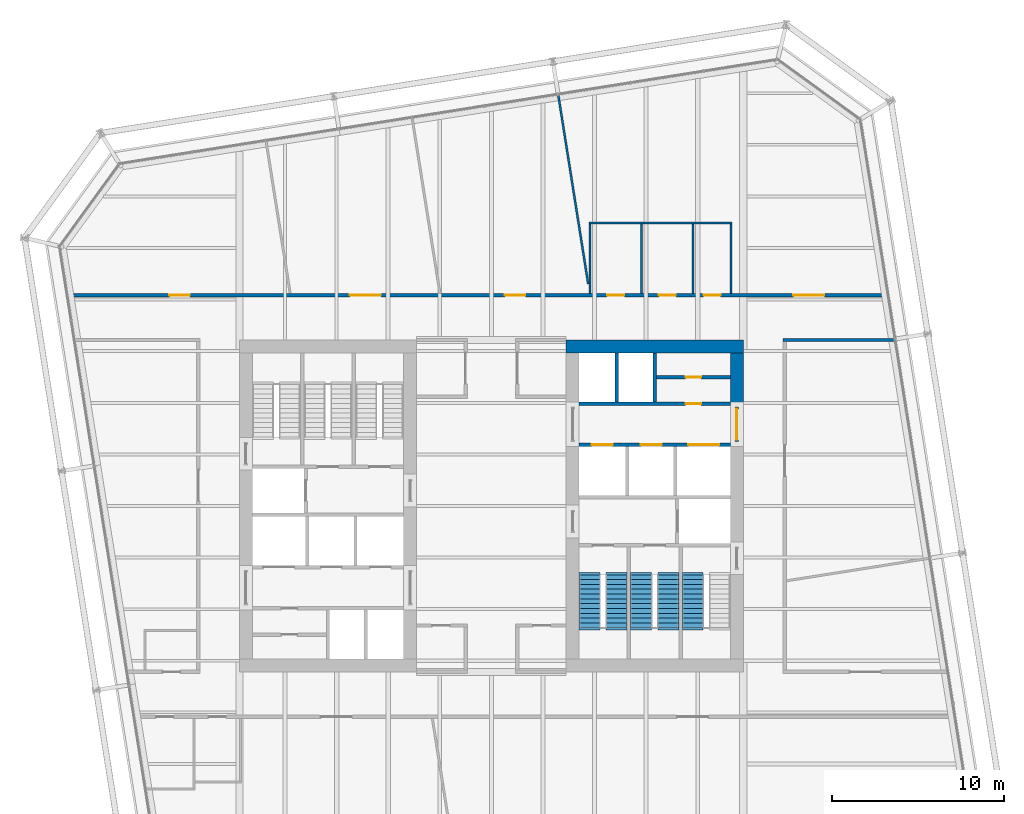
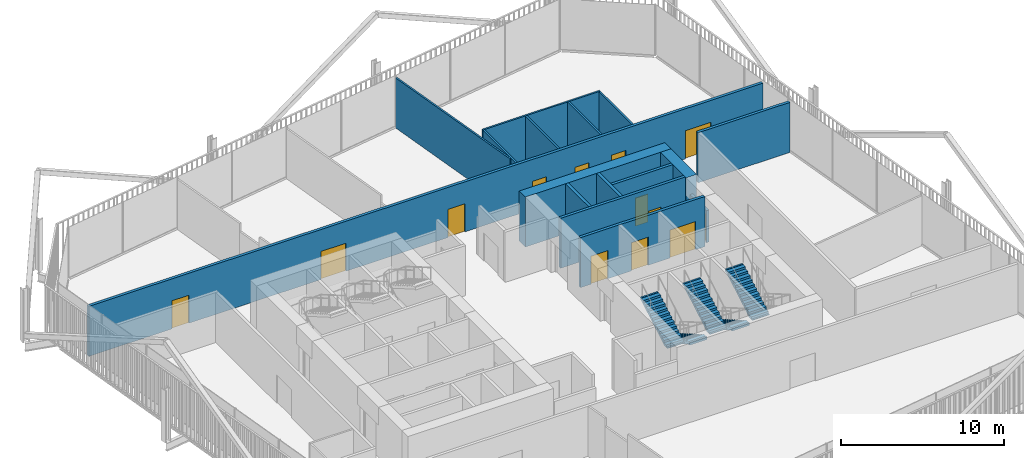
# One storey, part 20 of 22: 16 walls, 13 doors, 5 stair flights, 13 openings, 3 elements without a shape of their own.
"""IFC4 building model written with IfcOpenShell, lengths in metres."""

from ifc_helpers import new_model, si_unit, direction, frame, frame_2d, origin, place, context, subcontext, project, spatial, polyline, rectangle, outline, extrude, material, layer, layer_set, type_object, element, fill, aggregate, save


model = new_model("IFC4")

# Units and contexts
model_context = context("Model", 3, precision=1e-05, world=origin(), true_north=direction((0.0, 1.0)))
body_context = subcontext(model_context, "Body", "Model", "MODEL_VIEW")
ifc_project = project(units=[si_unit("LENGTHUNIT", "METRE"), si_unit("AREAUNIT", "SQUARE_METRE"), si_unit("VOLUMEUNIT", "CUBIC_METRE"), si_unit("PLANEANGLEUNIT", "RADIAN"), si_unit("MASSUNIT", "GRAM", prefix="KILO")], contexts=[model_context])

# Site, building, storey
site_placement = place(None, origin())
site = spatial("IfcSite", under=ifc_project, at=site_placement, CompositionType="ELEMENT")
building_placement = place(site_placement, origin())
building = spatial("IfcBuilding", under=site, at=building_placement, Name="Millrace Tower", CompositionType="ELEMENT")
storey_placement = place(building_placement, frame((0.0, 0.0, 152.89990234375)))
storey = spatial("IfcBuildingStorey", under=building, at=storey_placement, Name="L34", CompositionType="ELEMENT", Elevation=152.89990234375)

# Walls
ifc_material_1 = material(Name="Concrete C70", Category="concrete")
ifc_layer_1 = layer(ifc_material_1, 0.75)
ifc_layer_set_1 = layer_set([ifc_layer_1], Name="Concrete C70")
wall_type_1 = type_object("IfcWallType", Name="Core wall 750 Concrete C70", PredefinedType="SHEAR", material=ifc_layer_set_1)
wall_1_placement = place(storey_placement, frame((14.64990234375, 9.27490234375, 0.0), z_axis=(0.0, 0.0, 1.0), x_axis=(-1.0, 0.0, 0.0)))
element("IfcWall", 1, at=wall_1_placement, inside=storey, type_object=wall_type_1, Name="Core wall E L34", PredefinedType="SHEAR", context=body_context, shape_type="SweptSolid", body=[
    extrude(rectangle(XDim=10.2998046875, YDim=0.75, at=frame_2d((5.14990234375, 0.0))), origin(), (0.0, 0.0, 1.0), 3.739990234375),
])
wall_2_placement = place(storey_placement, frame((14.27490234375, 8.89990234375, 0.0), z_axis=(0.0, 0.0, 1.0), x_axis=(0.0, -1.0, 0.0)))
element("IfcWall", 2, at=wall_2_placement, inside=storey, type_object=wall_type_1, Name="Core wall E L34", PredefinedType="SHEAR", context=body_context, shape_type="SweptSolid", body=[
    extrude(rectangle(XDim=3.14990234375, YDim=0.75, at=frame_2d((1.574951171875, 0.0))), origin(), (0.0, 0.0, 1.0), 3.739990234375),
])
ifc_material_2 = material(Name="Masonry partition, fire-rated", Category="masonry")
ifc_layer_2 = layer(ifc_material_2, 0.199951171875)
ifc_layer_set_2 = layer_set([ifc_layer_2], Name="Masonry partition, fire-rated")
wall_type_2 = type_object("IfcWallType", Name="Corridor wall 200", PredefinedType="PARTITIONING", material=ifc_layer_set_2)
wall_3_placement = place(storey_placement, frame((16.949951171875, 9.64990234375, 0.0), z_axis=(0.0, 0.0, 1.0), x_axis=(1.0, 0.0, 0.0)))
element("IfcWall", 3, at=wall_3_placement, inside=storey, type_object=wall_type_2, Name="Corridor wall L34", PredefinedType="PARTITIONING", context=body_context, shape_type="SweptSolid", body=[
    extrude(rectangle(XDim=6.489501953125, YDim=0.199951171875, at=frame_2d((3.24462890625, 0.0))), origin(), (0.0, 0.0, 1.0), 3.739990234375),
])

# Wall, openings, doors
wall_4_placement = place(storey_placement, frame((-24.618896484375, 12.25, 0.0), z_axis=(0.0, 0.0, 1.0), x_axis=(1.0, 0.0, 0.0)))
wall_4 = element("IfcWall", 4, at=wall_4_placement, inside=storey, type_object=wall_type_2, Name="Corridor wall L34", PredefinedType="PARTITIONING", context=body_context, shape_type="SweptSolid", body=[
    extrude(rectangle(XDim=47.646484375, YDim=0.199951171875, at=frame_2d((23.8232421875, 0.0))), origin(), (0.0, 0.0, 1.0), 3.739990234375),
])
opening_1_placement = place(wall_4_placement, frame((5.89501953125, 0.0, 0.0)))
opening_1 = element("IfcOpeningElement", 5, at=opening_1_placement, cuts=wall_4, Name="Opening 34-P005", PredefinedType="OPENING", context=body_context, shape_type="SweptSolid", body=[
    extrude(rectangle(XDim=1.199951171875, YDim=2.10009765625, at=frame_2d((0.60009765625, 1.050048828125))), frame((0.0, 0.10986328125, 0.0), z_axis=(0.0, -1.0, 0.0), x_axis=(1.0, 0.0, 0.0)), (0.0, 0.0, 1.0), 0.219970703125),
])
opening_2_placement = place(wall_4_placement, frame((16.39306640625, 0.0, 0.0)))
opening_2 = element("IfcOpeningElement", 6, at=opening_2_placement, cuts=wall_4, Name="Opening 34-P006", PredefinedType="OPENING", context=body_context, shape_type="SweptSolid", body=[
    extrude(rectangle(XDim=1.800048828125, YDim=2.10009765625, at=frame_2d((0.89990234375, 1.050048828125))), frame((0.0, 0.10986328125, 0.0), z_axis=(0.0, -1.0, 0.0), x_axis=(1.0, 0.0, 0.0)), (0.0, 0.0, 1.0), 0.219970703125),
])
opening_3_placement = place(wall_4_placement, frame((25.400390625, 0.0, 0.0)))
opening_3 = element("IfcOpeningElement", 7, at=opening_3_placement, cuts=wall_4, Name="Opening 34-P007", PredefinedType="OPENING", context=body_context, shape_type="SweptSolid", body=[
    extrude(rectangle(XDim=1.199951171875, YDim=2.10009765625, at=frame_2d((0.60009765625, 1.050048828125))), frame((0.0, 0.10986328125, 0.0), z_axis=(0.0, -1.0, 0.0), x_axis=(1.0, 0.0, 0.0)), (0.0, 0.0, 1.0), 0.219970703125),
])
opening_4_placement = place(wall_4_placement, frame((42.175048828125, 0.0, 0.0)))
opening_4 = element("IfcOpeningElement", 8, at=opening_4_placement, cuts=wall_4, Name="Opening 34-P008", PredefinedType="OPENING", context=body_context, shape_type="SweptSolid", body=[
    extrude(rectangle(XDim=1.800048828125, YDim=2.10009765625, at=frame_2d((0.89990234375, 1.050048828125))), frame((0.0, 0.10986328125, 0.0), z_axis=(0.0, -1.0, 0.0), x_axis=(1.0, 0.0, 0.0)), (0.0, 0.0, 1.0), 0.219970703125),
])
opening_5_placement = place(wall_4_placement, frame((31.35400390625, 0.0, 0.0)))
opening_5 = element("IfcOpeningElement", 9, at=opening_5_placement, cuts=wall_4, Name="Opening 34-P009", PredefinedType="OPENING", context=body_context, shape_type="SweptSolid", body=[
    extrude(rectangle(XDim=1.0, YDim=2.10009765625, at=frame_2d((0.5, 1.050048828125))), frame((0.0, 0.10986328125, 0.0), z_axis=(0.0, -1.0, 0.0), x_axis=(1.0, 0.0, 0.0)), (0.0, 0.0, 1.0), 0.219970703125),
])
opening_6_placement = place(wall_4_placement, frame((34.35400390625, 0.0, 0.0)))
opening_6 = element("IfcOpeningElement", 10, at=opening_6_placement, cuts=wall_4, Name="Opening 34-P010", PredefinedType="OPENING", context=body_context, shape_type="SweptSolid", body=[
    extrude(rectangle(XDim=1.0, YDim=2.10009765625, at=frame_2d((0.5, 1.050048828125))), frame((0.0, 0.10986328125, 0.0), z_axis=(0.0, -1.0, 0.0), x_axis=(1.0, 0.0, 0.0)), (0.0, 0.0, 1.0), 0.219970703125),
])
opening_7_placement = place(wall_4_placement, frame((36.953857421875, 0.0, 0.0)))
opening_7 = element("IfcOpeningElement", 11, at=opening_7_placement, cuts=wall_4, Name="Opening 34-P011", PredefinedType="OPENING", context=body_context, shape_type="SweptSolid", body=[
    extrude(rectangle(XDim=1.0, YDim=2.10009765625, at=frame_2d((0.5, 1.050048828125))), frame((0.0, 0.10986328125, 0.0), z_axis=(0.0, -1.0, 0.0), x_axis=(1.0, 0.0, 0.0)), (0.0, 0.0, 1.0), 0.219970703125),
])
ifc_material_3 = material(Name="Steel door set, fire-rated", Category="steel")
door_type_1 = type_object("IfcDoorType", Name="Corridor door 1000 x 2100", OperationType="SINGLE_SWING_LEFT", PredefinedType="DOOR", material=ifc_material_3)
door_1_placement = place(opening_5_placement, origin())
door_1 = element("IfcDoor", 12, at=door_1_placement, inside=storey, type_object=door_type_1, Name="Door 34-P009", OperationType="SINGLE_SWING_RIGHT", OverallHeight=2.10009765625, OverallWidth=1.0, PredefinedType="DOOR", context=body_context, shape_type="SweptSolid", body=[
    extrude(rectangle(XDim=1.0, YDim=2.10009765625, at=frame_2d((0.5, 1.050048828125))), frame((0.0, 0.02490234375, 0.0), z_axis=(0.0, -1.0, 0.0), x_axis=(1.0, 0.0, 0.0)), (0.0, 0.0, 1.0), 0.050048828125),
])
fill(opening_5, door_1)
door_2_placement = place(opening_6_placement, origin())
door_2 = element("IfcDoor", 13, at=door_2_placement, inside=storey, type_object=door_type_1, Name="Door 34-P010", OperationType="SINGLE_SWING_RIGHT", OverallHeight=2.10009765625, OverallWidth=1.0, PredefinedType="DOOR", context=body_context, shape_type="SweptSolid", body=[
    extrude(rectangle(XDim=1.0, YDim=2.10009765625, at=frame_2d((0.5, 1.050048828125))), frame((0.0, 0.02490234375, 0.0), z_axis=(0.0, -1.0, 0.0), x_axis=(1.0, 0.0, 0.0)), (0.0, 0.0, 1.0), 0.050048828125),
])
fill(opening_6, door_2)
door_3_placement = place(opening_7_placement, origin())
door_3 = element("IfcDoor", 14, at=door_3_placement, inside=storey, type_object=door_type_1, Name="Door 34-P011", OperationType="SINGLE_SWING_RIGHT", OverallHeight=2.10009765625, OverallWidth=1.0, PredefinedType="DOOR", context=body_context, shape_type="SweptSolid", body=[
    extrude(rectangle(XDim=1.0, YDim=2.10009765625, at=frame_2d((0.5, 1.050048828125))), frame((0.0, 0.02490234375, 0.0), z_axis=(0.0, -1.0, 0.0), x_axis=(1.0, 0.0, 0.0)), (0.0, 0.0, 1.0), 0.050048828125),
])
fill(opening_7, door_3)
ifc_material_4 = material(Name="Steel door set, fire-rated", Category="steel")
door_type_2 = type_object("IfcDoorType", Name="Corridor door 1200 x 2100", OperationType="SINGLE_SWING_LEFT", PredefinedType="DOOR", material=ifc_material_4)
door_4_placement = place(opening_1_placement, origin())
door_4 = element("IfcDoor", 15, at=door_4_placement, inside=storey, type_object=door_type_2, Name="Door 34-P005", OperationType="SINGLE_SWING_LEFT", OverallHeight=2.10009765625, OverallWidth=1.199951171875, PredefinedType="DOOR", context=body_context, shape_type="SweptSolid", body=[
    extrude(rectangle(XDim=1.199951171875, YDim=2.10009765625, at=frame_2d((0.60009765625, 1.050048828125))), frame((0.0, 0.02490234375, 0.0), z_axis=(0.0, -1.0, 0.0), x_axis=(1.0, 0.0, 0.0)), (0.0, 0.0, 1.0), 0.050048828125),
])
fill(opening_1, door_4)
door_5_placement = place(opening_3_placement, origin())
door_5 = element("IfcDoor", 16, at=door_5_placement, inside=storey, type_object=door_type_2, Name="Door 34-P007", OperationType="SINGLE_SWING_RIGHT", OverallHeight=2.10009765625, OverallWidth=1.199951171875, PredefinedType="DOOR", context=body_context, shape_type="SweptSolid", body=[
    extrude(rectangle(XDim=1.199951171875, YDim=2.10009765625, at=frame_2d((0.60009765625, 1.050048828125))), frame((0.0, 0.02490234375, 0.0), z_axis=(0.0, -1.0, 0.0), x_axis=(1.0, 0.0, 0.0)), (0.0, 0.0, 1.0), 0.050048828125),
])
fill(opening_3, door_5)
ifc_material_5 = material(Name="Steel door set, fire-rated", Category="steel")
door_type_3 = type_object("IfcDoorType", Name="Corridor door 1800 x 2100", OperationType="DOUBLE_DOOR_SINGLE_SWING", PredefinedType="DOOR", material=ifc_material_5)
door_6_placement = place(opening_2_placement, origin())
door_6 = element("IfcDoor", 17, at=door_6_placement, inside=storey, type_object=door_type_3, Name="Door 34-P006", OperationType="DOUBLE_DOOR_SINGLE_SWING", OverallHeight=2.10009765625, OverallWidth=1.800048828125, PredefinedType="DOOR", context=body_context, shape_type="SweptSolid", body=[
    extrude(rectangle(XDim=1.800048828125, YDim=2.10009765625, at=frame_2d((0.89990234375, 1.050048828125))), frame((0.0, 0.02490234375, 0.0), z_axis=(0.0, -1.0, 0.0), x_axis=(1.0, 0.0, 0.0)), (0.0, 0.0, 1.0), 0.050048828125),
])
fill(opening_2, door_6)
door_7_placement = place(opening_4_placement, frame((1.800048828125, 0.0, 0.0), z_axis=(0.0, 0.0, 1.0), x_axis=(-1.0, 0.0, 0.0)))
door_7 = element("IfcDoor", 18, at=door_7_placement, inside=storey, type_object=door_type_3, Name="Door 34-P008", OperationType="DOUBLE_DOOR_SINGLE_SWING", OverallHeight=2.10009765625, OverallWidth=1.800048828125, PredefinedType="DOOR", context=body_context, shape_type="SweptSolid", body=[
    extrude(rectangle(XDim=1.800048828125, YDim=2.10009765625, at=frame_2d((0.89990234375, 1.050048828125))), frame((0.0, 0.02490234375, 0.0), z_axis=(0.0, -1.0, 0.0), x_axis=(1.0, 0.0, 0.0)), (0.0, 0.0, 1.0), 0.050048828125),
])
fill(opening_4, door_7)

# Wall, opening, door
ifc_material_6 = material(Name="Masonry partition, fire-rated", Category="masonry")
ifc_layer_3 = layer(ifc_material_6, 0.199951171875)
ifc_layer_set_3 = layer_set([ifc_layer_3], Name="Masonry partition, fire-rated")
wall_type_3 = type_object("IfcWallType", Name="Lift shaft wall 200", PredefinedType="PARTITIONING", material=ifc_layer_set_3)
wall_5_placement = place(storey_placement, frame((13.89990234375, 5.949951171875, 0.0), z_axis=(0.0, 0.0, 1.0), x_axis=(-1.0, 0.0, 0.0)))
wall_5 = element("IfcWall", 19, at=wall_5_placement, inside=storey, type_object=wall_type_3, Name="Lift shaft wall E L34", PredefinedType="PARTITIONING", context=body_context, shape_type="SweptSolid", body=[
    extrude(rectangle(XDim=8.7998046875, YDim=0.199951171875, at=frame_2d((4.39990234375, 0.0))), origin(), (0.0, 0.0, 1.0), 3.739990234375),
])
opening_8_placement = place(wall_5_placement, frame((1.699951171875, 0.0, 0.0)))
opening_8 = element("IfcOpeningElement", 20, at=opening_8_placement, cuts=wall_5, Name="Opening 34-C013", PredefinedType="OPENING", context=body_context, shape_type="SweptSolid", body=[
    extrude(rectangle(XDim=0.89990234375, YDim=2.10009765625, at=frame_2d((0.449951171875, 1.050048828125))), frame((0.0, 0.10986328125, 0.0), z_axis=(0.0, -1.0, 0.0), x_axis=(1.0, 0.0, 0.0)), (0.0, 0.0, 1.0), 0.219970703125),
])
ifc_material_7 = material(Name="Steel door, fire-rated", Category="steel")
door_type_4 = type_object("IfcDoorType", Name="Service room door 900 x 2100", OperationType="SINGLE_SWING_LEFT", PredefinedType="DOOR", material=ifc_material_7)
door_8_placement = place(opening_8_placement, origin())
door_8 = element("IfcDoor", 21, at=door_8_placement, inside=storey, type_object=door_type_4, Name="Service room door 34-C013", OperationType="SINGLE_SWING_LEFT", OverallHeight=2.10009765625, OverallWidth=0.89990234375, PredefinedType="DOOR", context=body_context, shape_type="SweptSolid", body=[
    extrude(rectangle(XDim=0.89990234375, YDim=2.10009765625, at=frame_2d((0.449951171875, 1.050048828125))), frame((0.0, 0.02490234375, 0.0), z_axis=(0.0, -1.0, 0.0), x_axis=(1.0, 0.0, 0.0)), (0.0, 0.0, 1.0), 0.050048828125),
])
fill(opening_8, door_8)

# Wall, openings, doors
wall_6_placement = place(storey_placement, frame((13.89990234375, 3.550048828125, 0.0), z_axis=(0.0, 0.0, 1.0), x_axis=(-1.0, 0.0, 0.0)))
wall_6 = element("IfcWall", 22, at=wall_6_placement, inside=storey, type_object=wall_type_3, Name="Lift shaft wall E L34", PredefinedType="PARTITIONING", context=body_context, shape_type="SweptSolid", body=[
    extrude(rectangle(XDim=8.7998046875, YDim=0.199951171875, at=frame_2d((4.39990234375, 0.0))), origin(), (0.0, 0.0, 1.0), 3.739990234375),
])
opening_9_placement = place(wall_6_placement, frame((0.64990234375, 0.0, 0.0)))
opening_9 = element("IfcOpeningElement", 23, at=opening_9_placement, cuts=wall_6, Name="Opening 34-LD13", PredefinedType="OPENING", context=body_context, shape_type="SweptSolid", body=[
    extrude(rectangle(XDim=1.800048828125, YDim=2.10009765625, at=frame_2d((0.89990234375, 1.050048828125))), frame((0.0, 0.10986328125, 0.0), z_axis=(0.0, -1.0, 0.0), x_axis=(1.0, 0.0, 0.0)), (0.0, 0.0, 1.0), 0.219970703125),
])
opening_10_placement = place(wall_6_placement, frame((4.0, 0.0, 0.0)))
opening_10 = element("IfcOpeningElement", 24, at=opening_10_placement, cuts=wall_6, Name="Opening 34-LD14", PredefinedType="OPENING", context=body_context, shape_type="SweptSolid", body=[
    extrude(rectangle(XDim=1.199951171875, YDim=2.10009765625, at=frame_2d((0.60009765625, 1.050048828125))), frame((0.0, 0.10986328125, 0.0), z_axis=(0.0, -1.0, 0.0), x_axis=(1.0, 0.0, 0.0)), (0.0, 0.0, 1.0), 0.219970703125),
])
opening_11_placement = place(wall_6_placement, frame((6.85009765625, 0.0, 0.0)))
opening_11 = element("IfcOpeningElement", 25, at=opening_11_placement, cuts=wall_6, Name="Opening 34-LD15", PredefinedType="OPENING", context=body_context, shape_type="SweptSolid", body=[
    extrude(rectangle(XDim=1.199951171875, YDim=2.10009765625, at=frame_2d((0.60009765625, 1.050048828125))), frame((0.0, 0.10986328125, 0.0), z_axis=(0.0, -1.0, 0.0), x_axis=(1.0, 0.0, 0.0)), (0.0, 0.0, 1.0), 0.219970703125),
])
ifc_material_8 = material(Name="Stainless steel, fire-rated", Category="steel")
door_type_5 = type_object("IfcDoorType", Name="Lift landing door 1200 x 2100", OperationType="DOUBLE_DOOR_SLIDING", PredefinedType="DOOR", material=ifc_material_8)
door_9_placement = place(opening_10_placement, origin())
door_9 = element("IfcDoor", 26, at=door_9_placement, inside=storey, type_object=door_type_5, Name="Lift landing door LF14 L34", OperationType="DOUBLE_DOOR_SLIDING", OverallHeight=2.10009765625, OverallWidth=1.199951171875, PredefinedType="DOOR", context=body_context, shape_type="SweptSolid", body=[
    extrude(rectangle(XDim=1.199951171875, YDim=2.10009765625, at=frame_2d((0.60009765625, 1.050048828125))), frame((0.0, 0.02490234375, 0.0), z_axis=(0.0, -1.0, 0.0), x_axis=(1.0, 0.0, 0.0)), (0.0, 0.0, 1.0), 0.050048828125),
])
fill(opening_10, door_9)
door_10_placement = place(opening_11_placement, origin())
door_10 = element("IfcDoor", 27, at=door_10_placement, inside=storey, type_object=door_type_5, Name="Lift landing door LF15 L34", OperationType="DOUBLE_DOOR_SLIDING", OverallHeight=2.10009765625, OverallWidth=1.199951171875, PredefinedType="DOOR", context=body_context, shape_type="SweptSolid", body=[
    extrude(rectangle(XDim=1.199951171875, YDim=2.10009765625, at=frame_2d((0.60009765625, 1.050048828125))), frame((0.0, 0.02490234375, 0.0), z_axis=(0.0, -1.0, 0.0), x_axis=(1.0, 0.0, 0.0)), (0.0, 0.0, 1.0), 0.050048828125),
])
fill(opening_11, door_10)
ifc_material_9 = material(Name="Stainless steel, fire-rated", Category="steel")
door_type_6 = type_object("IfcDoorType", Name="Lift landing door 1800 x 2100", OperationType="DOUBLE_DOOR_SLIDING", PredefinedType="DOOR", material=ifc_material_9)
door_11_placement = place(opening_9_placement, origin())
door_11 = element("IfcDoor", 28, at=door_11_placement, inside=storey, type_object=door_type_6, Name="Lift landing door LF13 L34", OperationType="DOUBLE_DOOR_SLIDING", OverallHeight=2.10009765625, OverallWidth=1.800048828125, PredefinedType="DOOR", context=body_context, shape_type="SweptSolid", body=[
    extrude(rectangle(XDim=1.800048828125, YDim=2.10009765625, at=frame_2d((0.89990234375, 1.050048828125))), frame((0.0, 0.02490234375, 0.0), z_axis=(0.0, -1.0, 0.0), x_axis=(1.0, 0.0, 0.0)), (0.0, 0.0, 1.0), 0.050048828125),
])
fill(opening_9, door_11)

# Walls
for number, where, z_axis, x_axis, name in (
    (29, (9.5, 8.89990234375, 0.0), (0.0, 0.0, 1.0), (0.0, -1.0, 0.0), "Lift shaft wall E L34"),
    (30, (7.300048828125, 8.89990234375, 0.0), (0.0, 0.0, 1.0), (0.0, -1.0, 0.0), "Lift shaft wall E L34"),
):
    element("IfcWall", number, at=place(storey_placement, frame(where, z_axis=z_axis, x_axis=x_axis)), inside=storey, type_object=wall_type_3, Name=name, PredefinedType="PARTITIONING", context=body_context, shape_type="SweptSolid", body=[
        extrude(rectangle(XDim=2.849853515625, YDim=0.199951171875, at=frame_2d((1.4248046875, 0.0))), origin(), (0.0, 0.0, 1.0), 3.739990234375),
    ])

# Wall, opening, door
ifc_material_10 = material(Name="Masonry partition, fire-rated", Category="masonry")
ifc_layer_4 = layer(ifc_material_10, 0.199951171875)
ifc_layer_set_4 = layer_set([ifc_layer_4], Name="Masonry partition, fire-rated")
wall_type_4 = type_object("IfcWallType", Name="Lobby wall 200", PredefinedType="PARTITIONING", material=ifc_layer_set_4)
wall_7_placement = place(storey_placement, frame((14.27490234375, 5.75, 0.0), z_axis=(0.0, 0.0, 1.0), x_axis=(0.0, -1.0, 0.0)))
wall_7 = element("IfcWall", 31, at=wall_7_placement, inside=storey, type_object=wall_type_4, Name="Lobby wall E L34", PredefinedType="PARTITIONING", context=body_context, shape_type="SweptSolid", body=[
    extrude(rectangle(XDim=2.0, YDim=0.199951171875, at=frame_2d((1.0, 0.0))), origin(), (0.0, 0.0, 1.0), 2.400146484375),
])
opening_12_placement = place(wall_7_placement, frame((0.10009765625, 0.0, 0.0)))
opening_12 = element("IfcOpeningElement", 32, at=opening_12_placement, cuts=wall_7, Name="Opening 34-C009", PredefinedType="OPENING", context=body_context, shape_type="SweptSolid", body=[
    extrude(rectangle(XDim=1.800048828125, YDim=2.10009765625, at=frame_2d((0.89990234375, 1.050048828125))), frame((0.0, 0.10986328125, 0.0), z_axis=(0.0, -1.0, 0.0), x_axis=(1.0, 0.0, 0.0)), (0.0, 0.0, 1.0), 0.219970703125),
])
ifc_material_11 = material(Name="Steel door, fire-rated", Category="steel")
door_type_7 = type_object("IfcDoorType", Name="Lobby door 1800 x 2100", OperationType="DOUBLE_DOOR_SINGLE_SWING", PredefinedType="DOOR", material=ifc_material_11)
door_12_placement = place(opening_12_placement, origin())
door_12 = element("IfcDoor", 33, at=door_12_placement, inside=storey, type_object=door_type_7, Name="Lobby door 34-C009", OperationType="DOUBLE_DOOR_SINGLE_SWING", OverallHeight=2.10009765625, OverallWidth=1.800048828125, PredefinedType="DOOR", context=body_context, shape_type="SweptSolid", body=[
    extrude(rectangle(XDim=1.800048828125, YDim=2.10009765625, at=frame_2d((0.89990234375, 1.050048828125))), frame((0.0, 0.02490234375, 0.0), z_axis=(0.0, -1.0, 0.0), x_axis=(1.0, 0.0, 0.0)), (0.0, 0.0, 1.0), 0.050048828125),
])
fill(opening_12, door_12)

# Walls
ifc_material_12 = material(Name="Gypsum board partition")
ifc_layer_5 = layer(ifc_material_12, 0.1201171875)
ifc_layer_set_5 = layer_set([ifc_layer_5], Name="Gypsum board partition")
wall_type_5 = type_object("IfcWallType", Name="Partition wall 120", PredefinedType="PARTITIONING", material=ifc_layer_set_5)
wall_8_placement = place(storey_placement, frame((3.89013671875, 23.8994140625, 0.0), z_axis=(0.0, 0.0, 1.0), x_axis=(0.15642784912, -0.987689388431, 0.0)))
element("IfcWall", 34, at=wall_8_placement, inside=storey, type_object=wall_type_5, Name="Partition wall L34", PredefinedType="PARTITIONING", context=body_context, shape_type="SweptSolid", body=[
    extrude(rectangle(XDim=11.1279296875, YDim=0.1201171875, at=frame_2d((5.56396484375, 0.0))), origin(), (0.0, 0.0, 1.0), 3.739990234375),
])
wall_9_placement = place(storey_placement, frame((5.675048828125, 16.449951171875, 0.0), z_axis=(0.0, 0.0, 1.0), x_axis=(1.0, 0.0, 0.0)))
element("IfcWall", 35, at=wall_9_placement, inside=storey, type_object=wall_type_5, Name="Partition wall L34", PredefinedType="PARTITIONING", context=body_context, shape_type="SweptSolid", body=[
    extrude(rectangle(XDim=8.320068359375, YDim=0.1201171875, at=frame_2d((4.16015625, 0.0))), origin(), (0.0, 0.0, 1.0), 3.739990234375),
])
for number, where, z_axis, x_axis, name in (
    (36, (13.93505859375, 12.35009765625, 0.0), (0.0, 0.0, 1.0), (0.0, 1.0, 0.0), "Partition wall L34"),
    (37, (11.735107421875, 12.35009765625, 0.0), (0.0, 0.0, 1.0), (0.0, 1.0, 0.0), "Partition wall L34"),
    (38, (8.735107421875, 12.35009765625, 0.0), (0.0, 0.0, 1.0), (0.0, 1.0, 0.0), "Partition wall L34"),
    (39, (5.735107421875, 12.35009765625, 0.0), (0.0, 0.0, 1.0), (0.0, 1.0, 0.0), "Partition wall L34"),
):
    element("IfcWall", number, at=place(storey_placement, frame(where, z_axis=z_axis, x_axis=x_axis)), inside=storey, type_object=wall_type_5, Name=name, PredefinedType="PARTITIONING", context=body_context, shape_type="SweptSolid", body=[
        extrude(rectangle(XDim=4.039794921875, YDim=0.1201171875, at=frame_2d((2.02001953125, 0.0))), origin(), (0.0, 0.0, 1.0), 3.739990234375),
    ])

# Wall, opening, door
ifc_material_13 = material(Name="Masonry partition, fire-rated", Category="masonry")
ifc_layer_6 = layer(ifc_material_13, 0.199951171875)
ifc_layer_set_6 = layer_set([ifc_layer_6], Name="Masonry partition, fire-rated")
wall_type_6 = type_object("IfcWallType", Name="Room partition 200", PredefinedType="PARTITIONING", material=ifc_layer_set_6)
wall_10_placement = place(storey_placement, frame((13.89990234375, 7.47509765625, 0.0), z_axis=(0.0, 0.0, 1.0), x_axis=(-1.0, 0.0, 0.0)))
wall_10 = element("IfcWall", 40, at=wall_10_placement, inside=storey, type_object=wall_type_6, Name="Room partition E L34", PredefinedType="PARTITIONING", context=body_context, shape_type="SweptSolid", body=[
    extrude(rectangle(XDim=4.2998046875, YDim=0.199951171875, at=frame_2d((2.14990234375, 0.0))), origin(), (0.0, 0.0, 1.0), 3.739990234375),
])
opening_13_placement = place(wall_10_placement, frame((1.699951171875, 0.0, 0.0)))
opening_13 = element("IfcOpeningElement", 41, at=opening_13_placement, cuts=wall_10, Name="Opening 34-C014", PredefinedType="OPENING", context=body_context, shape_type="SweptSolid", body=[
    extrude(rectangle(XDim=0.89990234375, YDim=2.10009765625, at=frame_2d((0.449951171875, 1.050048828125))), frame((0.0, 0.10986328125, 0.0), z_axis=(0.0, -1.0, 0.0), x_axis=(1.0, 0.0, 0.0)), (0.0, 0.0, 1.0), 0.219970703125),
])
door_13_placement = place(opening_13_placement, frame((0.89990234375, 0.0, 0.0), z_axis=(0.0, 0.0, 1.0), x_axis=(-1.0, 0.0, 0.0)))
door_13 = element("IfcDoor", 42, at=door_13_placement, inside=storey, type_object=door_type_4, Name="Service room door 34-C014", OperationType="SINGLE_SWING_RIGHT", OverallHeight=2.10009765625, OverallWidth=0.89990234375, PredefinedType="DOOR", context=body_context, shape_type="SweptSolid", body=[
    extrude(rectangle(XDim=0.89990234375, YDim=2.10009765625, at=frame_2d((0.449951171875, 1.050048828125))), frame((0.0, 0.02490234375, 0.0), z_axis=(0.0, -1.0, 0.0), x_axis=(1.0, 0.0, 0.0)), (0.0, 0.0, 1.0), 0.050048828125),
])
fill(opening_13, door_13)

# Stair, stair flight
ifc_material_14 = material(Name="Concrete C35", Category="concrete")
stair_type = type_object("IfcStairType", Name="Exit stair", PredefinedType="HALF_TURN_STAIR", material=ifc_material_14)
placement = place(storey_placement, origin())
stair_1 = element("IfcStair", 43, at=placement, inside=storey, type_object=stair_type, Name="Stair 1 E L34", PredefinedType="HALF_TURN_STAIR")
ifc_material_15 = material(Name="Concrete C35", Category="concrete")
stair_flight_type = type_object("IfcStairFlightType", Name="Exit stair flight", PredefinedType="STRAIGHT", material=ifc_material_15)
stair_flight_1_placement = place(storey_placement, frame((11.7099609375, -7.080078125, 1.9501953125), z_axis=(0.0, 0.0, 1.0), x_axis=(0.0, 1.0, 0.0)))
stair_flight_1 = element("IfcStairFlight", 44, at=stair_flight_1_placement, type_object=stair_flight_type, Name="ST12 flight 2", NumberOfRisers=12, NumberOfTreads=11, PredefinedType="STRAIGHT", RiserHeight=0.1625, TreadLength=0.28, context=body_context, shape_type="SweptSolid", body=[
    extrude(outline(polyline([(-0.1201171875, -0.0400390625), (-0.1201171875, 0.0), (0.0, 0.0), (0.0, 0.16259765625), (0.280029296875, 0.16259765625), (0.280029296875, 0.324951171875), (0.56005859375, 0.324951171875), (0.56005859375, 0.487548828125), (0.840087890625, 0.487548828125), (0.840087890625, 0.64990234375), (1.1201171875, 0.64990234375), (1.1201171875, 0.8125), (1.39990234375, 0.8125), (1.39990234375, 0.97509765625), (1.679931640625, 0.97509765625), (1.679931640625, 1.137451171875), (1.9599609375, 1.137451171875), (1.9599609375, 1.300048828125), (2.239990234375, 1.300048828125), (2.239990234375, 1.46240234375), (2.52001953125, 1.46240234375), (2.52001953125, 1.625), (2.800048828125, 1.625), (2.800048828125, 1.78759765625), (3.080078125, 1.78759765625), (3.080078125, 1.8076171875), (3.199951171875, 1.8076171875), (3.199951171875, 1.6142578125), (3.080078125, 1.6142578125), (0.298583984375, 0.0), (0.298583984375, -0.0400390625), (-0.1201171875, -0.0400390625)])), frame((0.0, 0.60986328125, 0.0), z_axis=(0.0, -1.0, 0.0), x_axis=(1.0, 0.0, 0.0)), (0.0, 0.0, 1.0), 1.219970703125),
])
aggregate(stair_1, [stair_flight_1])

# Stair, stair flights
stair_2 = element("IfcStair", 45, at=placement, inside=storey, type_object=stair_type, Name="Stair 2 E L34", PredefinedType="HALF_TURN_STAIR")
stair_flight_2_placement = place(storey_placement, frame((10.2900390625, -4.0, 0.0), z_axis=(0.0, 0.0, 1.0), x_axis=(0.0, -1.0, 0.0)))
stair_flight_2 = element("IfcStairFlight", 46, at=stair_flight_2_placement, type_object=stair_flight_type, Name="ST12 flight 1", NumberOfRisers=12, NumberOfTreads=11, PredefinedType="STRAIGHT", RiserHeight=0.1625, TreadLength=0.28, context=body_context, shape_type="SweptSolid", body=[
    extrude(outline(polyline([(-0.1201171875, -0.0400390625), (-0.1201171875, 0.0), (0.0, 0.0), (0.0, 0.16259765625), (0.280029296875, 0.16259765625), (0.280029296875, 0.324951171875), (0.56005859375, 0.324951171875), (0.56005859375, 0.487548828125), (0.840087890625, 0.487548828125), (0.840087890625, 0.64990234375), (1.1201171875, 0.64990234375), (1.1201171875, 0.8125), (1.39990234375, 0.8125), (1.39990234375, 0.97509765625), (1.679931640625, 0.97509765625), (1.679931640625, 1.137451171875), (1.9599609375, 1.137451171875), (1.9599609375, 1.300048828125), (2.239990234375, 1.300048828125), (2.239990234375, 1.46240234375), (2.52001953125, 1.46240234375), (2.52001953125, 1.625), (2.800048828125, 1.625), (2.800048828125, 1.78759765625), (3.080078125, 1.78759765625), (3.080078125, 1.8076171875), (3.199951171875, 1.8076171875), (3.199951171875, 1.6142578125), (3.080078125, 1.6142578125), (0.298583984375, 0.0), (0.298583984375, -0.0400390625), (-0.1201171875, -0.0400390625)])), frame((0.0, 0.60986328125, 0.0), z_axis=(0.0, -1.0, 0.0), x_axis=(1.0, 0.0, 0.0)), (0.0, 0.0, 1.0), 1.219970703125),
])
stair_flight_3_placement = place(storey_placement, frame((8.7099609375, -7.080078125, 1.9501953125), z_axis=(0.0, 0.0, 1.0), x_axis=(0.0, 1.0, 0.0)))
stair_flight_3 = element("IfcStairFlight", 47, at=stair_flight_3_placement, type_object=stair_flight_type, Name="ST12 flight 2", NumberOfRisers=12, NumberOfTreads=11, PredefinedType="STRAIGHT", RiserHeight=0.1625, TreadLength=0.28, context=body_context, shape_type="SweptSolid", body=[
    extrude(outline(polyline([(-0.1201171875, -0.0400390625), (-0.1201171875, 0.0), (0.0, 0.0), (0.0, 0.16259765625), (0.280029296875, 0.16259765625), (0.280029296875, 0.324951171875), (0.56005859375, 0.324951171875), (0.56005859375, 0.487548828125), (0.840087890625, 0.487548828125), (0.840087890625, 0.64990234375), (1.1201171875, 0.64990234375), (1.1201171875, 0.8125), (1.39990234375, 0.8125), (1.39990234375, 0.97509765625), (1.679931640625, 0.97509765625), (1.679931640625, 1.137451171875), (1.9599609375, 1.137451171875), (1.9599609375, 1.300048828125), (2.239990234375, 1.300048828125), (2.239990234375, 1.46240234375), (2.52001953125, 1.46240234375), (2.52001953125, 1.625), (2.800048828125, 1.625), (2.800048828125, 1.78759765625), (3.080078125, 1.78759765625), (3.080078125, 1.8076171875), (3.199951171875, 1.8076171875), (3.199951171875, 1.6142578125), (3.080078125, 1.6142578125), (0.298583984375, 0.0), (0.298583984375, -0.0400390625), (-0.1201171875, -0.0400390625)])), frame((0.0, 0.60986328125, 0.0), z_axis=(0.0, -1.0, 0.0), x_axis=(1.0, 0.0, 0.0)), (0.0, 0.0, 1.0), 1.219970703125),
])
aggregate(stair_2, [stair_flight_2, stair_flight_3])

stair_3 = element("IfcStair", 48, at=placement, inside=storey, type_object=stair_type, Name="Stair 3 E L34", PredefinedType="HALF_TURN_STAIR")
stair_flight_4_placement = place(storey_placement, frame((7.2900390625, -4.0, 0.0), z_axis=(0.0, 0.0, 1.0), x_axis=(0.0, -1.0, 0.0)))
stair_flight_4 = element("IfcStairFlight", 49, at=stair_flight_4_placement, type_object=stair_flight_type, Name="ST12 flight 1", NumberOfRisers=12, NumberOfTreads=11, PredefinedType="STRAIGHT", RiserHeight=0.1625, TreadLength=0.28, context=body_context, shape_type="SweptSolid", body=[
    extrude(outline(polyline([(-0.1201171875, -0.0400390625), (-0.1201171875, 0.0), (0.0, 0.0), (0.0, 0.16259765625), (0.280029296875, 0.16259765625), (0.280029296875, 0.324951171875), (0.56005859375, 0.324951171875), (0.56005859375, 0.487548828125), (0.840087890625, 0.487548828125), (0.840087890625, 0.64990234375), (1.1201171875, 0.64990234375), (1.1201171875, 0.8125), (1.39990234375, 0.8125), (1.39990234375, 0.97509765625), (1.679931640625, 0.97509765625), (1.679931640625, 1.137451171875), (1.9599609375, 1.137451171875), (1.9599609375, 1.300048828125), (2.239990234375, 1.300048828125), (2.239990234375, 1.46240234375), (2.52001953125, 1.46240234375), (2.52001953125, 1.625), (2.800048828125, 1.625), (2.800048828125, 1.78759765625), (3.080078125, 1.78759765625), (3.080078125, 1.8076171875), (3.199951171875, 1.8076171875), (3.199951171875, 1.6142578125), (3.080078125, 1.6142578125), (0.298583984375, 0.0), (0.298583984375, -0.0400390625), (-0.1201171875, -0.0400390625)])), frame((0.0, 0.60986328125, 0.0), z_axis=(0.0, -1.0, 0.0), x_axis=(1.0, 0.0, 0.0)), (0.0, 0.0, 1.0), 1.219970703125),
])
stair_flight_5_placement = place(storey_placement, frame((5.7099609375, -7.080078125, 1.9501953125), z_axis=(0.0, 0.0, 1.0), x_axis=(0.0, 1.0, 0.0)))
stair_flight_5 = element("IfcStairFlight", 50, at=stair_flight_5_placement, type_object=stair_flight_type, Name="ST12 flight 2", NumberOfRisers=12, NumberOfTreads=11, PredefinedType="STRAIGHT", RiserHeight=0.1625, TreadLength=0.28, context=body_context, shape_type="SweptSolid", body=[
    extrude(outline(polyline([(-0.1201171875, -0.0400390625), (-0.1201171875, 0.0), (0.0, 0.0), (0.0, 0.16259765625), (0.280029296875, 0.16259765625), (0.280029296875, 0.324951171875), (0.56005859375, 0.324951171875), (0.56005859375, 0.487548828125), (0.840087890625, 0.487548828125), (0.840087890625, 0.64990234375), (1.1201171875, 0.64990234375), (1.1201171875, 0.8125), (1.39990234375, 0.8125), (1.39990234375, 0.97509765625), (1.679931640625, 0.97509765625), (1.679931640625, 1.137451171875), (1.9599609375, 1.137451171875), (1.9599609375, 1.300048828125), (2.239990234375, 1.300048828125), (2.239990234375, 1.46240234375), (2.52001953125, 1.46240234375), (2.52001953125, 1.625), (2.800048828125, 1.625), (2.800048828125, 1.78759765625), (3.080078125, 1.78759765625), (3.080078125, 1.8076171875), (3.199951171875, 1.8076171875), (3.199951171875, 1.6142578125), (3.080078125, 1.6142578125), (0.298583984375, 0.0), (0.298583984375, -0.0400390625), (-0.1201171875, -0.0400390625)])), frame((0.0, 0.60986328125, 0.0), z_axis=(0.0, -1.0, 0.0), x_axis=(1.0, 0.0, 0.0)), (0.0, 0.0, 1.0), 1.219970703125),
])
aggregate(stair_3, [stair_flight_4, stair_flight_5])

save(model, "model.ifc")
